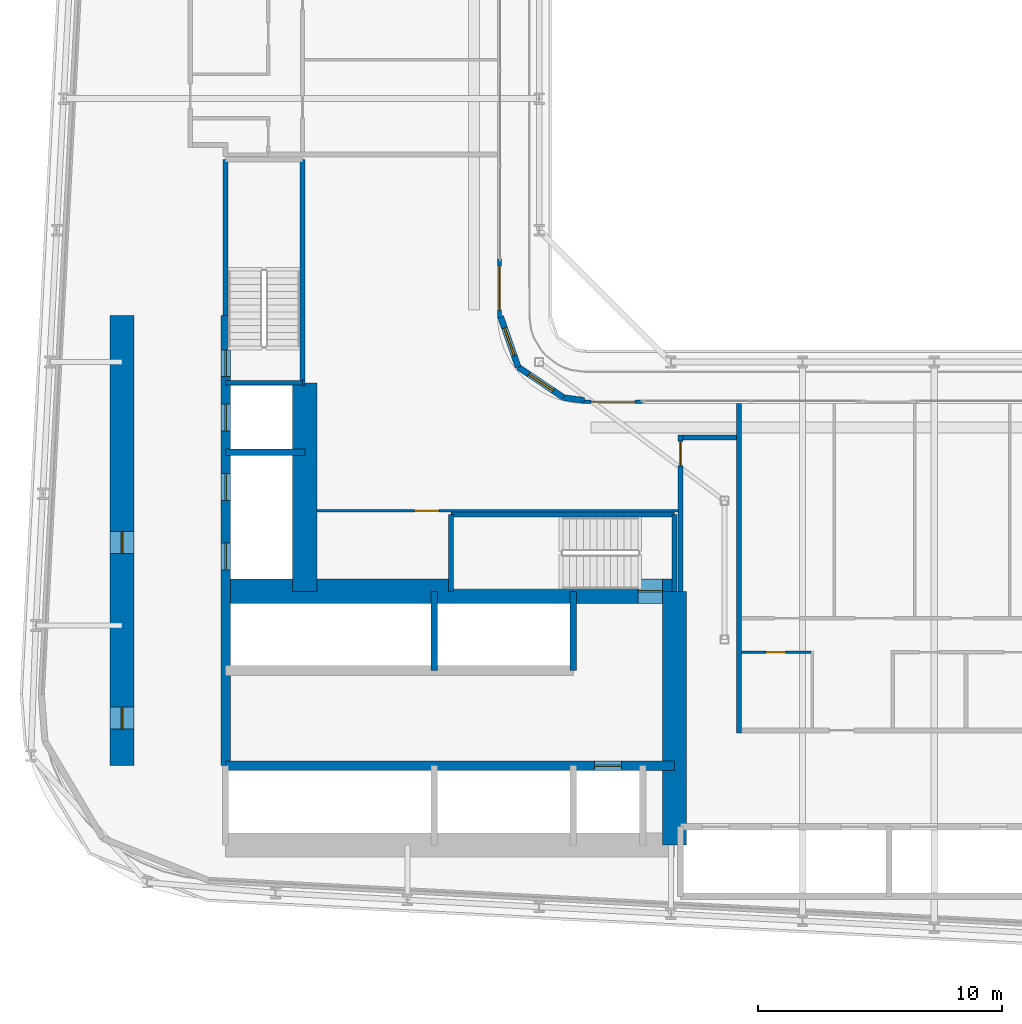
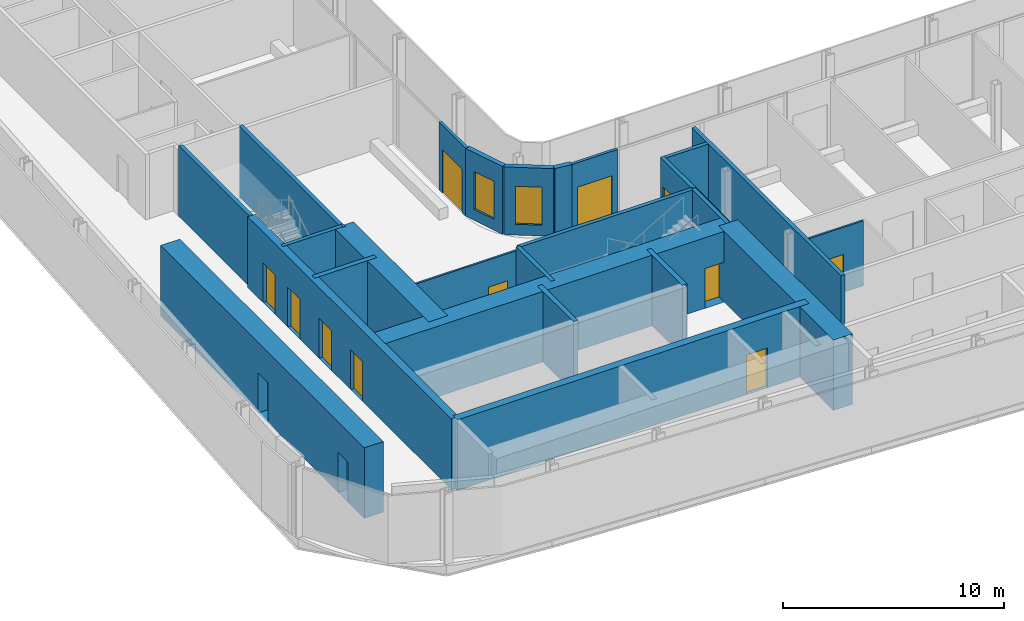
# One storey, part 13 of 27: 26 walls, 13 doors, 2 windows, 15 openings.
"""IFC4 building model written with IfcOpenShell, lengths in metres."""

from ifc_helpers import new_model, si_unit, direction, frame, frame_2d, origin, place, context, subcontext, project, spatial, rectangle, extrude, source, transform, mapped, material, layer, layer_set, type_object, element, fill, save


model = new_model("IFC4")

# Units and contexts
model_context = context("Model", 3, precision=1e-05, world=origin(), true_north=direction((0.0, 1.0)))
body_context = subcontext(model_context, "Body", "Model", "MODEL_VIEW")
ifc_project = project(units=[si_unit("LENGTHUNIT", "METRE"), si_unit("AREAUNIT", "SQUARE_METRE"), si_unit("VOLUMEUNIT", "CUBIC_METRE"), si_unit("PLANEANGLEUNIT", "RADIAN"), si_unit("MASSUNIT", "GRAM", prefix="KILO")], contexts=[model_context])

# Site, building, storey
site_placement = place(None, origin())
site = spatial("IfcSite", under=ifc_project, at=site_placement, CompositionType="ELEMENT")
building_placement = place(site_placement, origin())
building = spatial("IfcBuilding", under=site, at=building_placement, Name="Kheshtan School and Residences Tower", CompositionType="ELEMENT")
storey_placement = place(building_placement, frame((0.0, 0.0, 50.0)))
storey = spatial("IfcBuildingStorey", under=building, at=storey_placement, Name="L11", CompositionType="ELEMENT", Elevation=50.0)

# Wall, opening, door
ifc_material_1 = material(Name="Concrete C80/95", Category="concrete")
ifc_layer_1 = layer(ifc_material_1, 1.0)
ifc_layer_set_1 = layer_set([ifc_layer_1], Name="Core wall 1000 Concrete C80/95")
wall_type_1 = type_object("IfcWallType", Name="Core wall 1000 Concrete C80/95", PredefinedType="SHEAR", material=ifc_layer_set_1)
wall_1_placement = place(storey_placement, frame((34.75, 36.199951171875, 0.0), z_axis=(0.0, 0.0, 1.0), x_axis=(1.0, 0.0, 0.0)))
wall_1 = element("IfcWall", 1, at=wall_1_placement, inside=storey, type_object=wall_type_1, Name="Core wall CW-FRONT-S", PredefinedType="SHEAR", context=body_context, shape_type="SweptSolid", body=[
    extrude(rectangle(XDim=18.39990234375, YDim=1.0, at=frame_2d((9.199951171875, 0.0))), origin(), (0.0, 0.0, 1.0), 3.89990234375),
])
opening_1_placement = place(wall_1_placement, frame((16.89990234375, 0.0, 0.0)))
opening_1 = element("IfcOpeningElement", 2, at=opening_1_placement, cuts=wall_1, Name="Opening ST1D", PredefinedType="OPENING", context=body_context, shape_type="SweptSolid", body=[
    extrude(rectangle(XDim=1.0, YDim=2.199951171875, at=frame_2d((0.5, 1.10009765625))), frame((0.0, 0.510009765625, 0.0), z_axis=(0.0, -1.0, 0.0), x_axis=(1.0, 0.0, 0.0)), (0.0, 0.0, 1.0), 1.02001953125),
])
ifc_material_2 = material(Name="Steel door leaf, galvanised", Category="steel")
door_type_1 = type_object("IfcDoorType", Name="Stair door 1100 steel 90 min", OperationType="SINGLE_SWING_LEFT", PredefinedType="DOOR", material=ifc_material_2)
shared_shape_1 = source(origin(), body_context, "Body", "SweptSolid", [
    extrude(rectangle(XDim=1.0, YDim=2.199951171875, at=frame_2d((0.5, 1.10009765625))), frame((0.0, 0.02490234375, 0.0), z_axis=(0.0, -1.0, 0.0), x_axis=(1.0, 0.0, 0.0)), (0.0, 0.0, 1.0), 0.050048828125),
])
door_1_placement = place(opening_1_placement, origin())
door_1 = element("IfcDoor", 3, at=door_1_placement, inside=storey, type_object=door_type_1, Name="Stair ST1 door", OperationType="SINGLE_SWING_RIGHT", OverallHeight=2.199951171875, OverallWidth=1.0, PredefinedType="DOOR", context=body_context, shape_type="MappedRepresentation", body=[
    mapped(shared_shape_1, transform((0.0, 0.0, 0.0), x_axis=(1.0, 0.0, 0.0), y_axis=(0.0, 1.0, 0.0), z_axis=(0.0, 0.0, 1.0), scale=1.0)),
])
fill(opening_1, door_1)

# Wall
wall_2_placement = place(storey_placement, frame((38.0, 36.199951171875, 0.0), z_axis=(0.0, 0.0, 1.0), x_axis=(0.0, 1.0, 0.0)))
element("IfcWall", 4, at=wall_2_placement, inside=storey, type_object=wall_type_1, Name="Core wall CW-FRONT-W", PredefinedType="SHEAR", context=body_context, shape_type="SweptSolid", body=[
    extrude(rectangle(XDim=8.550048828125, YDim=1.0, at=frame_2d((4.27490234375, 0.0))), origin(), (0.0, 0.0, 1.0), 3.89990234375),
])

# Wall, openings, doors
wall_3_placement = place(storey_placement, frame((30.5, 29.050048828125, 0.0), z_axis=(0.0, 0.0, 1.0), x_axis=(0.0, 1.0, 0.0)))
wall_3 = element("IfcWall", 5, at=wall_3_placement, inside=storey, type_object=wall_type_1, Name="Core wall CW-REAR-W", PredefinedType="SHEAR", context=body_context, shape_type="SweptSolid", body=[
    extrude(rectangle(XDim=18.449951171875, YDim=1.0, at=frame_2d((9.22509765625, 0.0))), origin(), (0.0, 0.0, 1.0), 3.89990234375),
])
opening_2_placement = place(wall_3_placement, frame((1.5, 0.0, 0.0)))
opening_2 = element("IfcOpeningElement", 6, at=opening_2_placement, cuts=wall_3, Name="Opening SR90", PredefinedType="OPENING", context=body_context, shape_type="SweptSolid", body=[
    extrude(rectangle(XDim=0.89990234375, YDim=2.199951171875, at=frame_2d((0.449951171875, 1.10009765625))), frame((0.0, 0.510009765625, 0.0), z_axis=(0.0, -1.0, 0.0), x_axis=(1.0, 0.0, 0.0)), (0.0, 0.0, 1.0), 1.02001953125),
])
opening_3_placement = place(wall_3_placement, frame((8.705078125, 0.0, 0.0)))
opening_3 = element("IfcOpeningElement", 7, at=opening_3_placement, cuts=wall_3, Name="Opening SR90", PredefinedType="OPENING", context=body_context, shape_type="SweptSolid", body=[
    extrude(rectangle(XDim=0.89990234375, YDim=2.199951171875, at=frame_2d((0.449951171875, 1.10009765625))), frame((0.0, 0.510009765625, 0.0), z_axis=(0.0, -1.0, 0.0), x_axis=(1.0, 0.0, 0.0)), (0.0, 0.0, 1.0), 1.02001953125),
])
door_type_2 = type_object("IfcDoorType", Name="Service room door 900 steel 90 min", OperationType="SINGLE_SWING_LEFT", PredefinedType="DOOR", material=ifc_material_2)
shared_shape_2 = source(origin(), body_context, "Body", "SweptSolid", [
    extrude(rectangle(XDim=0.89990234375, YDim=2.199951171875, at=frame_2d((0.449951171875, 1.10009765625))), frame((0.0, 0.02490234375, 0.0), z_axis=(0.0, -1.0, 0.0), x_axis=(1.0, 0.0, 0.0)), (0.0, 0.0, 1.0), 0.050048828125),
])
door_2_placement = place(opening_2_placement, origin())
door_2 = element("IfcDoor", 8, at=door_2_placement, inside=storey, type_object=door_type_2, Name="Service room door", OperationType="SINGLE_SWING_LEFT", OverallHeight=2.199951171875, OverallWidth=0.89990234375, PredefinedType="DOOR", context=body_context, shape_type="MappedRepresentation", body=[
    mapped(shared_shape_2, transform((0.0, 0.0, 0.0), x_axis=(1.0, 0.0, 0.0), y_axis=(0.0, 1.0, 0.0), z_axis=(0.0, 0.0, 1.0), scale=1.0)),
])
fill(opening_2, door_2)
door_3_placement = place(opening_3_placement, origin())
door_3 = element("IfcDoor", 9, at=door_3_placement, inside=storey, type_object=door_type_2, Name="Service room door", OperationType="SINGLE_SWING_LEFT", OverallHeight=2.199951171875, OverallWidth=0.89990234375, PredefinedType="DOOR", context=body_context, shape_type="MappedRepresentation", body=[
    mapped(shared_shape_2, transform((0.0, 0.0, 0.0), x_axis=(1.0, 0.0, 0.0), y_axis=(0.0, 1.0, 0.0), z_axis=(0.0, 0.0, 1.0), scale=1.0)),
])
fill(opening_3, door_3)

# Wall
wall_4_placement = place(storey_placement, frame((53.14990234375, 25.800048828125, 0.0), z_axis=(0.0, 0.0, 1.0), x_axis=(0.0, 1.0, 0.0)))
element("IfcWall", 10, at=wall_4_placement, inside=storey, type_object=wall_type_1, Name="Core wall CW-EAST", PredefinedType="SHEAR", context=body_context, shape_type="SweptSolid", body=[
    extrude(rectangle(XDim=10.39990234375, YDim=1.0, at=frame_2d((5.199951171875, 0.0))), origin(), (0.0, 0.0, 1.0), 3.89990234375),
])

# Wall, opening, door
ifc_material_3 = material(Name="Concrete C50/60", Category="concrete")
ifc_layer_2 = layer(ifc_material_3, 0.39990234375)
ifc_layer_set_2 = layer_set([ifc_layer_2], Name="Core wall 400 Concrete C50/60")
wall_type_2 = type_object("IfcWallType", Name="Core wall 400 Concrete C50/60", PredefinedType="SHEAR", material=ifc_layer_set_2)
wall_5_placement = place(storey_placement, frame((34.75, 29.050048828125, 0.0), z_axis=(0.0, 0.0, 1.0), x_axis=(1.0, 0.0, 0.0)))
wall_5 = element("IfcWall", 11, at=wall_5_placement, inside=storey, type_object=wall_type_2, Name="Core wall CW-HALL-S1", PredefinedType="SHEAR", context=body_context, shape_type="SweptSolid", body=[
    extrude(rectangle(XDim=18.39990234375, YDim=0.39990234375, at=frame_2d((9.199951171875, 0.0))), origin(), (0.0, 0.0, 1.0), 3.89990234375),
])
opening_4_placement = place(wall_5_placement, frame((15.125, 0.0, 0.0)))
opening_4 = element("IfcOpeningElement", 12, at=opening_4_placement, cuts=wall_5, Name="Opening LD", PredefinedType="OPENING", context=body_context, shape_type="SweptSolid", body=[
    extrude(rectangle(XDim=1.10009765625, YDim=2.199951171875, at=frame_2d((0.550048828125, 1.10009765625))), frame((0.0, 0.2099609375, 0.0), z_axis=(0.0, -1.0, 0.0), x_axis=(1.0, 0.0, 0.0)), (0.0, 0.0, 1.0), 0.419921875),
])
ifc_material_4 = material(Name="Stainless steel door leaves", Category="steel")
door_type_3 = type_object("IfcDoorType", Name="Lift landing door 1100", OperationType="SLIDING_TO_LEFT", PredefinedType="DOOR", material=ifc_material_4)
shared_shape_3 = source(origin(), body_context, "Body", "SweptSolid", [
    extrude(rectangle(XDim=1.10009765625, YDim=2.199951171875, at=frame_2d((0.550048828125, 1.10009765625))), frame((0.0, 0.02490234375, 0.0), z_axis=(0.0, -1.0, 0.0), x_axis=(1.0, 0.0, 0.0)), (0.0, 0.0, 1.0), 0.050048828125),
])
door_4_placement = place(opening_4_placement, origin())
door_4 = element("IfcDoor", 13, at=door_4_placement, inside=storey, type_object=door_type_3, Name="Lift FFL2 landing door", OperationType="SLIDING_TO_LEFT", OverallHeight=2.199951171875, OverallWidth=1.10009765625, PredefinedType="DOOR", context=body_context, shape_type="MappedRepresentation", body=[
    mapped(shared_shape_3, transform((0.0, 0.0, 0.0), x_axis=(1.0, 0.0, 0.0), y_axis=(0.0, 1.0, 0.0), z_axis=(0.0, 0.0, 1.0), scale=1.0)),
])
fill(opening_4, door_4)

# Wall, openings, doors
wall_6_placement = place(storey_placement, frame((34.75, 29.050048828125, 0.0), z_axis=(0.0, 0.0, 1.0), x_axis=(0.0, 1.0, 0.0)))
wall_6 = element("IfcWall", 14, at=wall_6_placement, inside=storey, type_object=wall_type_2, Name="Core wall CW-HALL-W1", PredefinedType="SHEAR", context=body_context, shape_type="SweptSolid", body=[
    extrude(rectangle(XDim=18.449951171875, YDim=0.39990234375, at=frame_2d((9.22509765625, 0.0))), origin(), (0.0, 0.0, 1.0), 3.89990234375),
])
opening_5_placement = place(wall_6_placement, frame((8.02490234375, 0.0, 0.0)))
opening_5 = element("IfcOpeningElement", 15, at=opening_5_placement, cuts=wall_6, Name="Opening LD", PredefinedType="OPENING", context=body_context, shape_type="SweptSolid", body=[
    extrude(rectangle(XDim=1.10009765625, YDim=2.199951171875, at=frame_2d((0.550048828125, 1.10009765625))), frame((0.0, 0.2099609375, 0.0), z_axis=(0.0, -1.0, 0.0), x_axis=(1.0, 0.0, 0.0)), (0.0, 0.0, 1.0), 0.419921875),
])
opening_6_placement = place(wall_6_placement, frame((10.875, 0.0, 0.0)))
opening_6 = element("IfcOpeningElement", 16, at=opening_6_placement, cuts=wall_6, Name="Opening LD", PredefinedType="OPENING", context=body_context, shape_type="SweptSolid", body=[
    extrude(rectangle(XDim=1.10009765625, YDim=2.199951171875, at=frame_2d((0.550048828125, 1.10009765625))), frame((0.0, 0.2099609375, 0.0), z_axis=(0.0, -1.0, 0.0), x_axis=(1.0, 0.0, 0.0)), (0.0, 0.0, 1.0), 0.419921875),
])
opening_7_placement = place(wall_6_placement, frame((13.72509765625, 0.0, 0.0)))
opening_7 = element("IfcOpeningElement", 17, at=opening_7_placement, cuts=wall_6, Name="Opening LD", PredefinedType="OPENING", context=body_context, shape_type="SweptSolid", body=[
    extrude(rectangle(XDim=1.10009765625, YDim=2.199951171875, at=frame_2d((0.550048828125, 1.10009765625))), frame((0.0, 0.2099609375, 0.0), z_axis=(0.0, -1.0, 0.0), x_axis=(1.0, 0.0, 0.0)), (0.0, 0.0, 1.0), 0.419921875),
])
opening_8_placement = place(wall_6_placement, frame((15.949951171875, 0.0, 0.0)))
opening_8 = element("IfcOpeningElement", 18, at=opening_8_placement, cuts=wall_6, Name="Opening ST2D", PredefinedType="OPENING", context=body_context, shape_type="SweptSolid", body=[
    extrude(rectangle(XDim=1.10009765625, YDim=2.199951171875, at=frame_2d((0.550048828125, 1.10009765625))), frame((0.0, 0.2099609375, 0.0), z_axis=(0.0, -1.0, 0.0), x_axis=(1.0, 0.0, 0.0)), (0.0, 0.0, 1.0), 0.419921875),
])
door_5_placement = place(opening_5_placement, origin())
door_5 = element("IfcDoor", 19, at=door_5_placement, inside=storey, type_object=door_type_3, Name="Lift SV1 landing door", OperationType="SLIDING_TO_LEFT", OverallHeight=2.199951171875, OverallWidth=1.10009765625, PredefinedType="DOOR", context=body_context, shape_type="MappedRepresentation", body=[
    mapped(shared_shape_3, transform((0.0, 0.0, 0.0), x_axis=(1.0, 0.0, 0.0), y_axis=(0.0, 1.0, 0.0), z_axis=(0.0, 0.0, 1.0), scale=1.0)),
])
fill(opening_5, door_5)
door_6_placement = place(opening_6_placement, origin())
door_6 = element("IfcDoor", 20, at=door_6_placement, inside=storey, type_object=door_type_3, Name="Lift SV2 landing door", OperationType="SLIDING_TO_LEFT", OverallHeight=2.199951171875, OverallWidth=1.10009765625, PredefinedType="DOOR", context=body_context, shape_type="MappedRepresentation", body=[
    mapped(shared_shape_3, transform((0.0, 0.0, 0.0), x_axis=(1.0, 0.0, 0.0), y_axis=(0.0, 1.0, 0.0), z_axis=(0.0, 0.0, 1.0), scale=1.0)),
])
fill(opening_6, door_6)
door_7_placement = place(opening_7_placement, origin())
door_7 = element("IfcDoor", 21, at=door_7_placement, inside=storey, type_object=door_type_3, Name="Lift FFL1 landing door", OperationType="SLIDING_TO_LEFT", OverallHeight=2.199951171875, OverallWidth=1.10009765625, PredefinedType="DOOR", context=body_context, shape_type="MappedRepresentation", body=[
    mapped(shared_shape_3, transform((0.0, 0.0, 0.0), x_axis=(1.0, 0.0, 0.0), y_axis=(0.0, 1.0, 0.0), z_axis=(0.0, 0.0, 1.0), scale=1.0)),
])
fill(opening_7, door_7)
shared_shape_4 = source(origin(), body_context, "Body", "SweptSolid", [
    extrude(rectangle(XDim=1.10009765625, YDim=2.199951171875, at=frame_2d((0.550048828125, 1.10009765625))), frame((0.0, 0.02490234375, 0.0), z_axis=(0.0, -1.0, 0.0), x_axis=(1.0, 0.0, 0.0)), (0.0, 0.0, 1.0), 0.050048828125),
])
door_8_placement = place(opening_8_placement, origin())
door_8 = element("IfcDoor", 22, at=door_8_placement, inside=storey, type_object=door_type_1, Name="Stair ST2 door", OperationType="SINGLE_SWING_RIGHT", OverallHeight=2.199951171875, OverallWidth=1.10009765625, PredefinedType="DOOR", context=body_context, shape_type="MappedRepresentation", body=[
    mapped(shared_shape_4, transform((0.0, 0.0, 0.0), x_axis=(1.0, 0.0, 0.0), y_axis=(0.0, 1.0, 0.0), z_axis=(0.0, 0.0, 1.0), scale=1.0)),
])
fill(opening_8, door_8)

# Wall, opening, door
ifc_material_5 = material(Name="Gypsum board on steel studs with fire boards", Category="steel")
ifc_layer_3 = layer(ifc_material_5, 0.199951171875)
ifc_layer_set_3 = layer_set([ifc_layer_3], Name="Corridor wall 200")
wall_type_3 = type_object("IfcWallType", Name="Corridor wall 200", PredefinedType="PARTITIONING", material=ifc_layer_set_3)
wall_7_placement = place(storey_placement, frame((53.39990234375, 36.198974609375, 0.0), z_axis=(0.0, 0.0, 1.0), x_axis=(0.0, 1.0, 0.0)))
wall_7 = element("IfcWall", 23, at=wall_7_placement, inside=storey, type_object=wall_type_3, Name="Partition L11-045", PredefinedType="PARTITIONING", context=body_context, shape_type="SweptSolid", body=[
    extrude(rectangle(XDim=6.401123046875, YDim=0.199951171875, at=frame_2d((3.20068359375, 0.0))), origin(), (0.0, 0.0, 1.0), 3.60009765625),
])
opening_9_placement = place(wall_7_placement, frame((5.15087890625, 0.0, 0.0)))
opening_9 = element("IfcOpeningElement", 24, at=opening_9_placement, cuts=wall_7, Name="Opening D10-057", PredefinedType="OPENING", context=body_context, shape_type="SweptSolid", body=[
    extrude(rectangle(XDim=1.0, YDim=2.10009765625, at=frame_2d((0.5, 1.050048828125))), frame((0.0, 0.10986328125, 0.0), z_axis=(0.0, -1.0, 0.0), x_axis=(1.0, 0.0, 0.0)), (0.0, 0.0, 1.0), 0.219970703125),
])
ifc_material_6 = material(Name="Steel-framed fire-resisting door leaf", Category="steel")
door_type_4 = type_object("IfcDoorType", Name="Fire door FD60 1000 x 2100", OperationType="SINGLE_SWING_LEFT", PredefinedType="DOOR", material=ifc_material_6)
shared_shape_5 = source(origin(), body_context, "Body", "SweptSolid", [
    extrude(rectangle(XDim=1.0, YDim=2.10009765625, at=frame_2d((0.5, 1.050048828125))), frame((0.0, 0.02490234375, 0.0), z_axis=(0.0, -1.0, 0.0), x_axis=(1.0, 0.0, 0.0)), (0.0, 0.0, 1.0), 0.050048828125),
])
door_9_placement = place(opening_9_placement, origin())
door_9 = element("IfcDoor", 25, at=door_9_placement, inside=storey, type_object=door_type_4, Name="Door D10-057", OperationType="SINGLE_SWING_RIGHT", OverallHeight=2.10009765625, OverallWidth=1.0, PredefinedType="DOOR", context=body_context, shape_type="MappedRepresentation", body=[
    mapped(shared_shape_5, transform((0.0, 0.0, 0.0), x_axis=(1.0, 0.0, 0.0), y_axis=(0.0, 1.0, 0.0), z_axis=(0.0, 0.0, 1.0), scale=1.0)),
])
fill(opening_9, door_9)

# Wall
wall_8_placement = place(storey_placement, frame((53.5, 42.5, 0.0), z_axis=(0.0, 0.0, 1.0), x_axis=(1.0, 0.0, 0.0)))
element("IfcWall", 26, at=wall_8_placement, inside=storey, type_object=wall_type_3, Name="Partition L11-046", PredefinedType="PARTITIONING", context=body_context, shape_type="SweptSolid", body=[
    extrude(rectangle(XDim=2.199951171875, YDim=0.199951171875, at=frame_2d((1.10009765625, 0.0))), origin(), (0.0, 0.0, 1.0), 3.60009765625),
])

# Wall, opening, window
ifc_material_7 = material(Name="Concrete C40/50 with ceramic cladding and mineral wool insulation", Category="concrete")
ifc_layer_4 = layer(ifc_material_7, 0.25)
ifc_layer_set_4 = layer_set([ifc_layer_4], Name="External wall 250 ceramic clad")
wall_type_4 = type_object("IfcWallType", Name="External wall 250 ceramic clad", PredefinedType="SOLIDWALL", material=ifc_layer_set_4)
wall_9_placement = place(storey_placement, frame((46.01806640625, 47.470947265625, 0.0), z_axis=(0.0, 0.0, 1.0), x_axis=(0.328791208903, -0.944402637093, 0.0)))
wall_9 = element("IfcWall", 27, at=wall_9_placement, inside=storey, type_object=wall_type_4, Name="External wall L11 9", PredefinedType="SOLIDWALL", context=body_context, shape_type="SweptSolid", body=[
    extrude(rectangle(XDim=2.20458984375, YDim=0.25, at=frame_2d((1.102294921875, 0.0))), origin(), (0.0, 0.0, 1.0), 3.75),
])
opening_10_placement = place(wall_9_placement, frame((0.5029296875, 0.0, 0.60009765625)))
opening_10 = element("IfcOpeningElement", 28, at=opening_10_placement, cuts=wall_9, Name="Opening WN-E", PredefinedType="OPENING", context=body_context, shape_type="SweptSolid", body=[
    extrude(rectangle(XDim=1.199951171875, YDim=2.10009765625, at=frame_2d((0.60009765625, 1.050048828125))), frame((0.0, 0.135009765625, 0.0), z_axis=(0.0, -1.0, 0.0), x_axis=(1.0, 0.0, 0.0)), (0.0, 0.0, 1.0), 0.27001953125),
])
ifc_material_8 = material(Name="Clear low-e glass in thermally broken aluminium frame", Category="aluminium")
window_type = type_object("IfcWindowType", Name="Window WN-E", PartitioningType="SINGLE_PANEL", PredefinedType="WINDOW", material=ifc_material_8)
shared_shape_6 = source(origin(), body_context, "Body", "SweptSolid", [
    extrude(rectangle(XDim=1.199951171875, YDim=2.10009765625, at=frame_2d((0.60009765625, 1.050048828125))), frame((0.0, 0.030029296875, 0.0), z_axis=(0.0, -1.0, 0.0), x_axis=(1.0, 0.0, 0.0)), (0.0, 0.0, 1.0), 0.06005859375),
])
window_1_placement = place(opening_10_placement, origin())
window_1 = element("IfcWindow", 29, at=window_1_placement, inside=storey, type_object=window_type, Name="Window L11 9", OverallHeight=2.10009765625, OverallWidth=1.199951171875, PartitioningType="SINGLE_PANEL", PredefinedType="WINDOW", context=body_context, shape_type="MappedRepresentation", body=[
    mapped(shared_shape_6, transform((0.0, 0.0, 0.0), x_axis=(1.0, 0.0, 0.0), y_axis=(0.0, 1.0, 0.0), z_axis=(0.0, 0.0, 1.0), scale=1.0)),
])
fill(opening_10, window_1)

wall_10_placement = place(storey_placement, frame((46.742919921875, 45.388916015625, 0.0), z_axis=(0.0, 0.0, 1.0), x_axis=(0.831449265529, -0.555600682912, 0.0)))
wall_10 = element("IfcWall", 30, at=wall_10_placement, inside=storey, type_object=wall_type_4, Name="External wall L11 10", PredefinedType="SOLIDWALL", context=body_context, shape_type="SweptSolid", body=[
    extrude(rectangle(XDim=2.25146484375, YDim=0.25, at=frame_2d((1.125732421875, 0.0))), origin(), (0.0, 0.0, 1.0), 3.75),
])
opening_11_placement = place(wall_10_placement, frame((0.52490234375, 0.0, 0.60009765625)))
opening_11 = element("IfcOpeningElement", 31, at=opening_11_placement, cuts=wall_10, Name="Opening WN-E", PredefinedType="OPENING", context=body_context, shape_type="SweptSolid", body=[
    extrude(rectangle(XDim=1.199951171875, YDim=2.10009765625, at=frame_2d((0.60009765625, 1.050048828125))), frame((0.0, 0.135009765625, 0.0), z_axis=(0.0, -1.0, 0.0), x_axis=(1.0, 0.0, 0.0)), (0.0, 0.0, 1.0), 0.27001953125),
])
window_2_placement = place(opening_11_placement, origin())
window_2 = element("IfcWindow", 32, at=window_2_placement, inside=storey, type_object=window_type, Name="Window L11 10", OverallHeight=2.10009765625, OverallWidth=1.199951171875, PartitioningType="SINGLE_PANEL", PredefinedType="WINDOW", context=body_context, shape_type="MappedRepresentation", body=[
    mapped(shared_shape_6, transform((0.0, 0.0, 0.0), x_axis=(1.0, 0.0, 0.0), y_axis=(0.0, 1.0, 0.0), z_axis=(0.0, 0.0, 1.0), scale=1.0)),
])
fill(opening_11, window_2)

# Wall
wall_11_placement = place(storey_placement, frame((48.614990234375, 44.137939453125, 0.0), z_axis=(0.0, 0.0, 1.0), x_axis=(0.990741504246, -0.135761819977, 0.0)))
element("IfcWall", 33, at=wall_11_placement, inside=storey, type_object=wall_type_4, Name="External wall L11 11", PredefinedType="SOLIDWALL", context=body_context, shape_type="SweptSolid", body=[
    extrude(rectangle(XDim=0.83984375, YDim=0.25, at=frame_2d((0.419921875, 0.0))), origin(), (0.0, 0.0, 1.0), 3.75),
])

# Wall, opening, door
ifc_material_9 = material(Name="Aluminium frame wall with insulated infill", Category="aluminium")
ifc_layer_5 = layer(ifc_material_9, 0.14990234375)
ifc_layer_set_5 = layer_set([ifc_layer_5], Name="Glazing frame wall 150")
wall_type_5 = type_object("IfcWallType", Name="Glazing frame wall 150", PredefinedType="SOLIDWALL", material=ifc_layer_set_5)
wall_12_placement = place(storey_placement, frame((45.97509765625, 49.830078125, 0.0), z_axis=(0.0, 0.0, 1.0), x_axis=(0.0, -1.0, 0.0)))
wall_12 = element("IfcWall", 34, at=wall_12_placement, inside=storey, type_object=wall_type_5, Name="Balcony door wall L11 8.5", PredefinedType="SOLIDWALL", context=body_context, shape_type="SweptSolid", body=[
    extrude(rectangle(XDim=2.400146484375, YDim=0.14990234375, at=frame_2d((1.2001953125, 0.0))), origin(), (0.0, 0.0, 1.0), 3.75),
])
opening_12_placement = place(wall_12_placement, frame((0.300048828125, 0.0, 0.0)))
opening_12 = element("IfcOpeningElement", 35, at=opening_12_placement, cuts=wall_12, Name="Opening BD", PredefinedType="OPENING", context=body_context, shape_type="SweptSolid", body=[
    extrude(rectangle(XDim=1.800048828125, YDim=2.39990234375, at=frame_2d((0.89990234375, 1.199951171875))), frame((0.0, 0.0849609375, 0.0), z_axis=(0.0, -1.0, 0.0), x_axis=(1.0, 0.0, 0.0)), (0.0, 0.0, 1.0), 0.169921875),
])
door_type_5 = type_object("IfcDoorType", Name="Balcony sliding door", OperationType="SLIDING_TO_LEFT", PredefinedType="DOOR", material=ifc_material_8)
shared_shape_7 = source(origin(), body_context, "Body", "SweptSolid", [
    extrude(rectangle(XDim=1.800048828125, YDim=2.39990234375, at=frame_2d((0.89990234375, 1.199951171875))), frame((0.0, 0.02490234375, 0.0), z_axis=(0.0, -1.0, 0.0), x_axis=(1.0, 0.0, 0.0)), (0.0, 0.0, 1.0), 0.050048828125),
])
door_10_placement = place(opening_12_placement, origin())
door_10 = element("IfcDoor", 36, at=door_10_placement, inside=storey, type_object=door_type_5, Name="Balcony door L11 8.5", OperationType="SLIDING_TO_LEFT", OverallHeight=2.39990234375, OverallWidth=1.800048828125, PredefinedType="DOOR", context=body_context, shape_type="MappedRepresentation", body=[
    mapped(shared_shape_7, transform((0.0, 0.0, 0.0), x_axis=(1.0, 0.0, 0.0), y_axis=(0.0, 1.0, 0.0), z_axis=(0.0, 0.0, 1.0), scale=1.0)),
])
fill(opening_12, door_10)

wall_13_placement = place(storey_placement, frame((49.429931640625, 43.97509765625, 0.0), z_axis=(0.0, 0.0, 1.0), x_axis=(1.0, 0.0, 0.0)))
wall_13 = element("IfcWall", 37, at=wall_13_placement, inside=storey, type_object=wall_type_5, Name="Balcony door wall L11 12.1", PredefinedType="SOLIDWALL", context=body_context, shape_type="SweptSolid", body=[
    extrude(rectangle(XDim=2.400146484375, YDim=0.14990234375, at=frame_2d((1.2001953125, 0.0))), origin(), (0.0, 0.0, 1.0), 3.75),
])
opening_13_placement = place(wall_13_placement, frame((0.300048828125, 0.0, 0.0)))
opening_13 = element("IfcOpeningElement", 38, at=opening_13_placement, cuts=wall_13, Name="Opening BD", PredefinedType="OPENING", context=body_context, shape_type="SweptSolid", body=[
    extrude(rectangle(XDim=1.800048828125, YDim=2.39990234375, at=frame_2d((0.89990234375, 1.199951171875))), frame((0.0, 0.0849609375, 0.0), z_axis=(0.0, -1.0, 0.0), x_axis=(1.0, 0.0, 0.0)), (0.0, 0.0, 1.0), 0.169921875),
])
door_11_placement = place(opening_13_placement, origin())
door_11 = element("IfcDoor", 39, at=door_11_placement, inside=storey, type_object=door_type_5, Name="Balcony door L11 12.1", OperationType="SLIDING_TO_LEFT", OverallHeight=2.39990234375, OverallWidth=1.800048828125, PredefinedType="DOOR", context=body_context, shape_type="MappedRepresentation", body=[
    mapped(shared_shape_7, transform((0.0, 0.0, 0.0), x_axis=(1.0, 0.0, 0.0), y_axis=(0.0, 1.0, 0.0), z_axis=(0.0, 0.0, 1.0), scale=1.0)),
])
fill(opening_13, door_11)

ifc_material_10 = material(Name="Gypsum board on steel studs", Category="steel")
ifc_layer_6 = layer(ifc_material_10, 0.10009765625)
ifc_layer_set_6 = layer_set([ifc_layer_6], Name="Gypsum partition 100")
wall_type_6 = type_object("IfcWallType", Name="Gypsum partition 100", PredefinedType="PARTITIONING", material=ifc_layer_set_6)
wall_14_placement = place(storey_placement, frame((38.4990234375, 39.5, 0.0), z_axis=(0.0, 0.0, 1.0), x_axis=(1.0, 0.0, 0.0)))
wall_14 = element("IfcWall", 40, at=wall_14_placement, inside=storey, type_object=wall_type_6, Name="Partition L11-043", PredefinedType="PARTITIONING", context=body_context, shape_type="SweptSolid", body=[
    extrude(rectangle(XDim=14.801025390625, YDim=0.10009765625, at=frame_2d((7.400390625, 0.0))), origin(), (0.0, 0.0, 1.0), 3.60009765625),
])
opening_14_placement = place(wall_14_placement, frame((3.9970703125, 0.0, 0.0)))
opening_14 = element("IfcOpeningElement", 41, at=opening_14_placement, cuts=wall_14, Name="Opening D10-056", PredefinedType="OPENING", context=body_context, shape_type="SweptSolid", body=[
    extrude(rectangle(XDim=1.0, YDim=2.10009765625, at=frame_2d((0.5, 1.050048828125))), frame((0.0, 0.06005859375, 0.0), z_axis=(0.0, -1.0, 0.0), x_axis=(1.0, 0.0, 0.0)), (0.0, 0.0, 1.0), 0.1201171875),
])
ifc_material_11 = material(Name="Veneered timber door leaf", Category="wood")
door_type_6 = type_object("IfcDoorType", Name="Door 1000 x 2100", OperationType="SINGLE_SWING_LEFT", PredefinedType="DOOR", material=ifc_material_11)
shared_shape_8 = source(origin(), body_context, "Body", "SweptSolid", [
    extrude(rectangle(XDim=1.0, YDim=2.10009765625, at=frame_2d((0.5, 1.050048828125))), frame((0.0, 0.02490234375, 0.0), z_axis=(0.0, -1.0, 0.0), x_axis=(1.0, 0.0, 0.0)), (0.0, 0.0, 1.0), 0.050048828125),
])
door_12_placement = place(opening_14_placement, origin())
door_12 = element("IfcDoor", 42, at=door_12_placement, inside=storey, type_object=door_type_6, Name="Door D10-056", OperationType="SINGLE_SWING_LEFT", OverallHeight=2.10009765625, OverallWidth=1.0, PredefinedType="DOOR", context=body_context, shape_type="MappedRepresentation", body=[
    mapped(shared_shape_8, transform((0.0, 0.0, 0.0), x_axis=(1.0, 0.0, 0.0), y_axis=(0.0, 1.0, 0.0), z_axis=(0.0, 0.0, 1.0), scale=1.0)),
])
fill(opening_14, door_12)

wall_15_placement = place(storey_placement, frame((55.89990234375, 33.699951171875, 0.0), z_axis=(0.0, 0.0, 1.0), x_axis=(1.0, 0.0, 0.0)))
wall_15 = element("IfcWall", 43, at=wall_15_placement, inside=storey, type_object=wall_type_6, Name="Partition L11-049", PredefinedType="PARTITIONING", context=body_context, shape_type="SweptSolid", body=[
    extrude(rectangle(XDim=2.85009765625, YDim=0.10009765625, at=frame_2d((1.425048828125, 0.0))), origin(), (0.0, 0.0, 1.0), 3.60009765625),
])
opening_15_placement = place(wall_15_placement, frame((1.0, 0.0, 0.0)))
opening_15 = element("IfcOpeningElement", 44, at=opening_15_placement, cuts=wall_15, Name="Opening D10-005", PredefinedType="OPENING", context=body_context, shape_type="SweptSolid", body=[
    extrude(rectangle(XDim=0.800048828125, YDim=2.10009765625, at=frame_2d((0.39990234375, 1.050048828125))), frame((0.0, 0.06005859375, 0.0), z_axis=(0.0, -1.0, 0.0), x_axis=(1.0, 0.0, 0.0)), (0.0, 0.0, 1.0), 0.1201171875),
])
door_type_7 = type_object("IfcDoorType", Name="Door 800 x 2100", OperationType="SINGLE_SWING_LEFT", PredefinedType="DOOR", material=ifc_material_11)
shared_shape_9 = source(origin(), body_context, "Body", "SweptSolid", [
    extrude(rectangle(XDim=0.800048828125, YDim=2.10009765625, at=frame_2d((0.39990234375, 1.050048828125))), frame((0.0, 0.02490234375, 0.0), z_axis=(0.0, -1.0, 0.0), x_axis=(1.0, 0.0, 0.0)), (0.0, 0.0, 1.0), 0.050048828125),
])
door_13_placement = place(opening_15_placement, origin())
door_13 = element("IfcDoor", 45, at=door_13_placement, inside=storey, type_object=door_type_7, Name="Door D10-005", OperationType="SINGLE_SWING_RIGHT", OverallHeight=2.10009765625, OverallWidth=0.800048828125, PredefinedType="DOOR", context=body_context, shape_type="MappedRepresentation", body=[
    mapped(shared_shape_9, transform((0.0, 0.0, 0.0), x_axis=(1.0, 0.0, 0.0), y_axis=(0.0, 1.0, 0.0), z_axis=(0.0, 0.0, 1.0), scale=1.0)),
])
fill(opening_15, door_13)

# Walls
ifc_material_12 = material(Name="Fire-board shaft wall system")
ifc_layer_7 = layer(ifc_material_12, 0.25)
ifc_layer_set_7 = layer_set([ifc_layer_7], Name="Shaft lining wall 250")
wall_type_7 = type_object("IfcWallType", Name="Shaft lining wall 250", PredefinedType="PARTITIONING", material=ifc_layer_set_7)
for number, where, z_axis, x_axis, name in (
    (46, (43.300048828125, 32.949951171875, 0.0), (0.0, 0.0, 1.0), (0.0, 1.0, 0.0), "Shaft lining wall"),
    (47, (49.0, 32.949951171875, 0.0), (0.0, 0.0, 1.0), (0.0, 1.0, 0.0), "Shaft lining wall"),
    (48, (34.75, 41.89990234375, 0.0), (0.0, 0.0, 1.0), (1.0, 0.0, 0.0), "Shaft lining wall"),
):
    element("IfcWall", number, at=place(storey_placement, frame(where, z_axis=z_axis, x_axis=x_axis)), inside=storey, type_object=wall_type_7, Name=name, PredefinedType="PARTITIONING", context=body_context, shape_type="SweptSolid", body=[
        extrude(rectangle(XDim=3.25, YDim=0.25, at=frame_2d((1.625, 0.0))), origin(), (0.0, 0.0, 1.0), 3.89990234375),
    ])
wall_16_placement = place(storey_placement, frame((37.89990234375, 44.75, 0.0), z_axis=(0.0, 0.0, 1.0), x_axis=(1.0, 0.0, 0.0)))
element("IfcWall", 49, at=wall_16_placement, inside=storey, type_object=wall_type_7, Name="Shaft lining wall", PredefinedType="PARTITIONING", context=body_context, shape_type="SweptSolid", body=[
    extrude(rectangle(XDim=0.10009765625, YDim=0.25, at=frame_2d((0.050048828125, 0.0))), origin(), (0.0, 0.0, 1.0), 3.89990234375),
])
ifc_material_13 = material(Name="Concrete C40/50", Category="concrete")
ifc_layer_8 = layer(ifc_material_13, 0.199951171875)
ifc_layer_set_8 = layer_set([ifc_layer_8], Name="Stair enclosure wall 200 Concrete C40/50")
wall_type_8 = type_object("IfcWallType", Name="Stair enclosure wall 200 Concrete C40/50", PredefinedType="SHEAR", material=ifc_layer_set_8)
wall_17_placement = place(storey_placement, frame((43.989990234375, 39.35009765625, 0.0), z_axis=(0.0, 0.0, 1.0), x_axis=(1.0, 0.0, 0.0)))
element("IfcWall", 50, at=wall_17_placement, inside=storey, type_object=wall_type_8, Name="Stair enclosure wall ST1", PredefinedType="SHEAR", context=body_context, shape_type="SweptSolid", body=[
    extrude(rectangle(XDim=9.159912109375, YDim=0.199951171875, at=frame_2d((4.580078125, 0.0))), origin(), (0.0, 0.0, 1.0), 3.89990234375),
])
for number, where, z_axis, x_axis, name in (
    (51, (43.989990234375, 36.199951171875, 0.0), (0.0, 0.0, 1.0), (0.0, 1.0, 0.0), "Stair enclosure wall ST1"),
    (52, (53.14990234375, 36.199951171875, 0.0), (0.0, 0.0, 1.0), (0.0, 1.0, 0.0), "Stair enclosure wall ST1"),
):
    element("IfcWall", number, at=place(storey_placement, frame(where, z_axis=z_axis, x_axis=x_axis)), inside=storey, type_object=wall_type_8, Name=name, PredefinedType="SHEAR", context=body_context, shape_type="SweptSolid", body=[
        extrude(rectangle(XDim=3.150146484375, YDim=0.199951171875, at=frame_2d((1.5751953125, 0.0))), origin(), (0.0, 0.0, 1.0), 3.89990234375),
    ])
wall_18_placement = place(storey_placement, frame((34.75, 44.75, 0.0), z_axis=(0.0, 0.0, 1.0), x_axis=(1.0, 0.0, 0.0)))
element("IfcWall", 53, at=wall_18_placement, inside=storey, type_object=wall_type_8, Name="Stair enclosure wall ST2", PredefinedType="SHEAR", context=body_context, shape_type="SweptSolid", body=[
    extrude(rectangle(XDim=3.14990234375, YDim=0.199951171875, at=frame_2d((1.574951171875, 0.0))), origin(), (0.0, 0.0, 1.0), 3.89990234375),
])
wall_19_placement = place(storey_placement, frame((34.75, 47.5, 0.0), z_axis=(0.0, 0.0, 1.0), x_axis=(0.0, 1.0, 0.0)))
element("IfcWall", 54, at=wall_19_placement, inside=storey, type_object=wall_type_8, Name="Stair enclosure wall ST2", PredefinedType="SHEAR", context=body_context, shape_type="SweptSolid", body=[
    extrude(rectangle(XDim=6.409912109375, YDim=0.199951171875, at=frame_2d((3.205078125, 0.0))), origin(), (0.0, 0.0, 1.0), 3.89990234375),
])
wall_20_placement = place(storey_placement, frame((37.89990234375, 44.75, 0.0), z_axis=(0.0, 0.0, 1.0), x_axis=(0.0, 1.0, 0.0)))
element("IfcWall", 55, at=wall_20_placement, inside=storey, type_object=wall_type_8, Name="Stair enclosure wall ST2", PredefinedType="SHEAR", context=body_context, shape_type="SweptSolid", body=[
    extrude(rectangle(XDim=9.159912109375, YDim=0.199951171875, at=frame_2d((4.580078125, 0.0))), origin(), (0.0, 0.0, 1.0), 3.89990234375),
])
ifc_material_14 = material(Name="Twin gypsum board on steel studs with mineral wool", Category="steel")
ifc_layer_9 = layer(ifc_material_14, 0.199951171875)
ifc_layer_set_9 = layer_set([ifc_layer_9], Name="Unit demising wall 200")
wall_type_9 = type_object("IfcWallType", Name="Unit demising wall 200", PredefinedType="PARTITIONING", material=ifc_layer_set_9)
wall_21_placement = place(storey_placement, frame((55.800048828125, 30.39990234375, 0.0), z_axis=(0.0, 0.0, 1.0), x_axis=(0.0, 1.0, 0.0)))
element("IfcWall", 56, at=wall_21_placement, inside=storey, type_object=wall_type_9, Name="Partition L11-047", PredefinedType="PARTITIONING", context=body_context, shape_type="SweptSolid", body=[
    extrude(rectangle(XDim=13.5, YDim=0.199951171875, at=frame_2d((6.75, 0.0))), origin(), (0.0, 0.0, 1.0), 3.60009765625),
])

save(model, "model.ifc")
